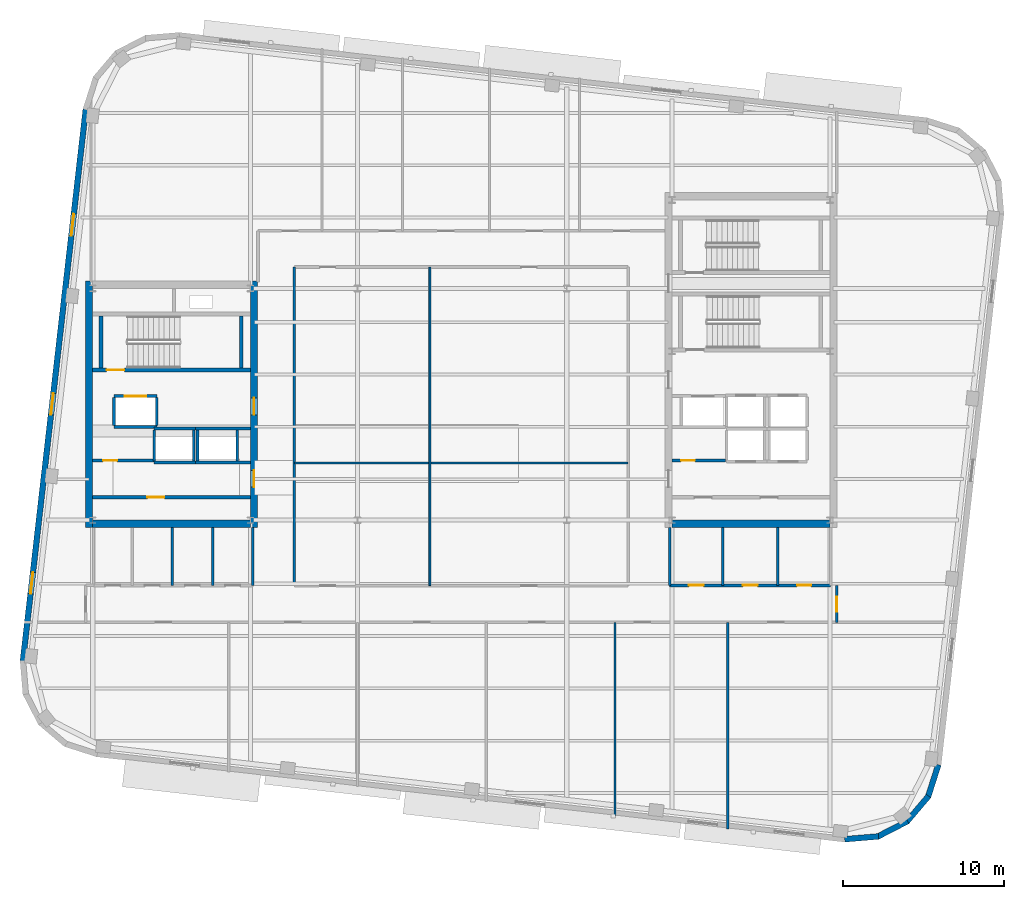
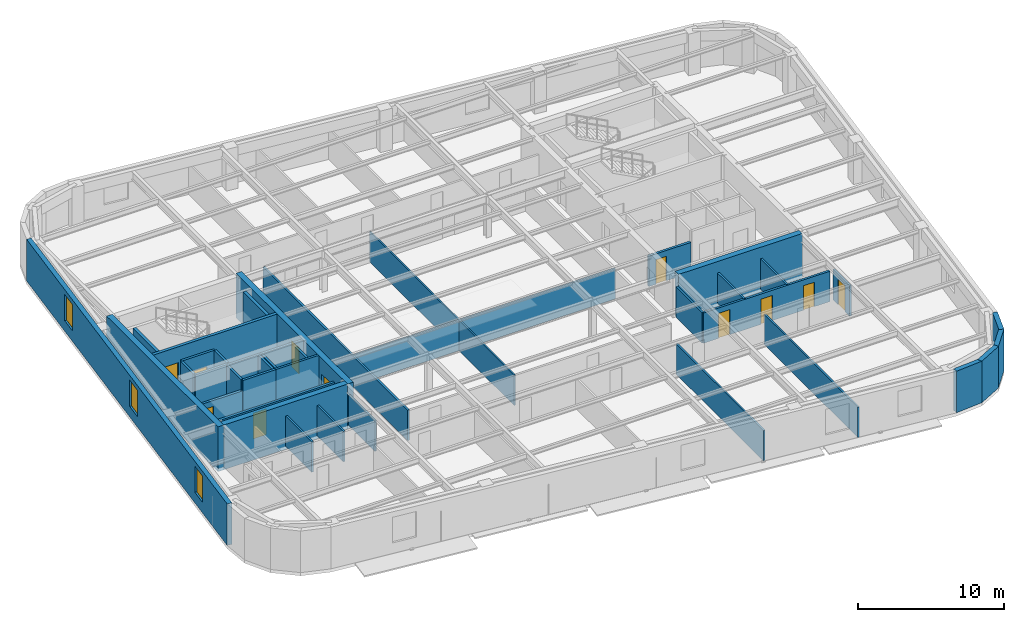
# One storey, part 6 of 13: 40 walls, 11 doors, 3 windows, 14 openings.
"""IFC4 building model written with IfcOpenShell, lengths in metres."""

import ifcopenshell
import ifcopenshell.guid

model = None  # the IFC model being written
_history = None  # IfcOwnerHistory: only IFC2X3 demands one
_inside = {}  # id of a spatial element -> (the spatial element, [elements in it])
_under = {}  # id of a project, library or spatial element -> (it, [spatial elements below it])
_declared = {}  # id of a project -> (the project, [libraries it declares])
_typed = {}  # id of a type object -> (the type object, [elements of that type])
_made_of = {}  # id of a material, layer set ... -> (it, [elements and type objects made of it])


def new_model(schema):
    """Start an empty IFC model of exactly this schema.

    Asked for "IFC4X3", IfcOpenShell would pick the latest addendum, in which some entities
    have other attributes; the version numbers below select the first issue.
    IFC2X3 requires an IfcOwnerHistory on every rooted entity: one is made here for all.
    """
    global model, _history
    if schema == "IFC4X3":
        model = ifcopenshell.file(schema_version=(4, 3, 0, 0))
    else:
        model = ifcopenshell.file(schema=schema)
    _inside.clear()
    _under.clear()
    _declared.clear()
    _typed.clear()
    _made_of.clear()
    _history = None
    if model.schema == "IFC2X3":
        org = make("IfcOrganization", Name="unknown")
        user = make(
            "IfcPersonAndOrganization",
            ThePerson=make("IfcPerson", FamilyName="unknown"),
            TheOrganization=org,
        )
        app = make(
            "IfcApplication",
            ApplicationDeveloper=org,
            Version="unknown",
            ApplicationFullName="unknown",
            ApplicationIdentifier="unknown",
        )
        _history = make(
            "IfcOwnerHistory",
            OwningUser=user,
            OwningApplication=app,
            ChangeAction="ADDED",
            CreationDate=0,
        )
    return model


def make(cls, **values):
    """One entity of the class cls with the attributes given. An attribute that is None is left unset."""
    return model.create_entity(
        cls, **{name: value for name, value in values.items() if value is not None}
    )


def rooted(cls, **values):
    """An entity with a GlobalId (a new one), such as an element, a storey or a relation."""
    return make(cls, GlobalId=ifcopenshell.guid.new(), OwnerHistory=_history, **values)


def si_unit(unit_type, name, prefix=None):
    """IfcSIUnit, for example si_unit("LENGTHUNIT", "METRE", prefix="MILLI")."""
    return make("IfcSIUnit", UnitType=unit_type, Prefix=prefix, Name=name)


def assignment(units):
    """IfcUnitAssignment: the units of a project."""
    return None if units is None else make("IfcUnitAssignment", Units=units)


def point(xyz):
    """IfcCartesianPoint."""
    return None if xyz is None else make("IfcCartesianPoint", Coordinates=xyz)


def direction(xyz):
    """IfcDirection."""
    return None if xyz is None else make("IfcDirection", DirectionRatios=xyz)


def frame(location, z_axis=None, x_axis=None):
    """IfcAxis2Placement3D, a coordinate frame: its origin and axes. An axis left out is left unset."""
    return make(
        "IfcAxis2Placement3D",
        Location=point(location),
        Axis=direction(z_axis),
        RefDirection=direction(x_axis),
    )


def frame_2d(location, x_axis=None):
    """IfcAxis2Placement2D, a coordinate frame in the plane: its origin and x axis."""
    return make(
        "IfcAxis2Placement2D", Location=point(location), RefDirection=direction(x_axis)
    )


def origin():
    """The frame at (0, 0, 0) with its axes left unset."""
    return frame((0.0, 0.0, 0.0))


def place(relative_to, where):
    """IfcLocalPlacement: puts the frame where relative to a parent placement (None: the world)."""
    return make(
        "IfcLocalPlacement", PlacementRelTo=relative_to, RelativePlacement=where
    )


def context(
    kind, dimensions, precision=None, world=None, true_north=None, identifier=None
):
    """IfcGeometricRepresentationContext, for example the 3D "Model" context."""
    return make(
        "IfcGeometricRepresentationContext",
        ContextIdentifier=identifier,
        ContextType=kind,
        CoordinateSpaceDimension=dimensions,
        Precision=precision,
        WorldCoordinateSystem=world,
        TrueNorth=true_north,
    )


def subcontext(parent, identifier, kind, view, scale=None):
    """IfcGeometricRepresentationSubContext, for example "Body" below "Model"."""
    return make(
        "IfcGeometricRepresentationSubContext",
        ContextIdentifier=identifier,
        ContextType=kind,
        ParentContext=parent,
        TargetScale=scale,
        TargetView=view,
    )


def project(units=None, contexts=None):
    """IfcProject with its units and contexts."""
    return rooted(
        "IfcProject",
        Name="project",
        RepresentationContexts=contexts,
        UnitsInContext=assignment(units),
    )


def spatial(cls, under=None, at=None, **own):
    """A site, building, storey or space (cls), placed at a placement, below another one or the project."""
    s = rooted(cls, ObjectPlacement=at, **own)
    if under is not None:
        _under.setdefault(under.id(), (under, []))[1].append(s)
    return s


def profile(cls, at=None, kind="AREA", **sizes):
    """A parametric profile (cls). Its sizes go by their IFC names, for example OverallWidth=200.0."""
    return make(cls, ProfileType=kind, Position=at, **sizes)


def rectangle(**sizes):
    """IfcRectangleProfileDef."""
    return profile("IfcRectangleProfileDef", **sizes)


def extrude(swept, where, along, depth):
    """IfcExtrudedAreaSolid: the profile swept, set in the frame where, extruded along a direction by depth."""
    return make(
        "IfcExtrudedAreaSolid",
        SweptArea=swept,
        Position=where,
        ExtrudedDirection=direction(along),
        Depth=depth,
    )


def shape(context_of_items, identifier, shape_type, items):
    """IfcShapeRepresentation: the items that make up one representation, for example the "Body"."""
    return make(
        "IfcShapeRepresentation",
        ContextOfItems=context_of_items,
        RepresentationIdentifier=identifier,
        RepresentationType=shape_type,
        Items=items,
    )


def material(Name=None, Category=None):
    """IfcMaterial."""
    return make("IfcMaterial", Name=Name, Category=Category)


def layer(
    of_material, thickness, ventilated=None, Name=None, Category=None, Priority=None
):
    """IfcMaterialLayer: one layer of a wall or slab, of a material (None: an air gap)."""
    return make(
        "IfcMaterialLayer",
        Material=of_material,
        LayerThickness=thickness,
        IsVentilated=ventilated,
        Name=Name,
        Category=Category,
        Priority=Priority,
    )


def layer_set(layers, Name=None):
    """IfcMaterialLayerSet."""
    return make("IfcMaterialLayerSet", MaterialLayers=layers, LayerSetName=Name)


def made_of(thing, what):
    """Note that an element or type object is made of a material, layer set ...; save() writes the relation."""
    if what is not None:
        _made_of.setdefault(what.id(), (what, []))[1].append(thing)
    return thing


def type_object(cls, material=None, **own):
    """A type object (cls), such as IfcWallType, which elements share."""
    return made_of(rooted(cls, **own), material)


def element(
    cls,
    number,
    at=None,
    inside=None,
    cuts=None,
    type_object=None,
    material=None,
    context=None,
    identifier="Body",
    shape_type=None,
    held_by="IfcProductDefinitionShape",
    body=None,
    shapes=None,
    **own,
):
    """One element of the class cls, such as IfcWall. Its Tag is "e" and its number.

    at: its placement. inside: the storey or other place that contains it. cuts: it is an
    opening in that element (IfcRelVoidsElement). A single representation is given by context,
    identifier, shape_type and body (its items); several are given by shapes. held_by: the class
    of the entity that holds the representations. save() writes the other relations.
    """
    e = rooted(cls, Tag="e%d" % number, ObjectPlacement=at, **own)
    if body is not None:
        shapes = [shape(context, identifier, shape_type, body)]
    if shapes is not None:
        e.Representation = make(held_by, Representations=shapes)
    if inside is not None:
        _inside.setdefault(inside.id(), (inside, []))[1].append(e)
    if cuts is not None:
        rooted(
            "IfcRelVoidsElement", RelatingBuildingElement=cuts, RelatedOpeningElement=e
        )
    if type_object is not None:
        _typed.setdefault(type_object.id(), (type_object, []))[1].append(e)
    return made_of(e, material)


def fill(opening, filler):
    """IfcRelFillsElement: the door or window that sits in an opening."""
    return rooted(
        "IfcRelFillsElement",
        RelatingOpeningElement=opening,
        RelatedBuildingElement=filler,
    )


def aggregate(whole, parts):
    """IfcRelAggregates: a whole, such as a stair, and the parts it consists of."""
    return rooted("IfcRelAggregates", RelatingObject=whole, RelatedObjects=parts)


def save(model, path):
    """Write the relations noted so far, then the file.

    IfcRelAggregates (storeys below a building ...), IfcRelContainedInSpatialStructure (elements
    in a storey), IfcRelDefinesByType, IfcRelAssociatesMaterial and IfcRelDeclares: one each for
    every whole, place, type object, material and project.
    """
    for whole, parts in _under.values():
        aggregate(whole, parts)
    for where, things in _inside.values():
        rooted(
            "IfcRelContainedInSpatialStructure",
            RelatedElements=things,
            RelatingStructure=where,
        )
    for kind, things in _typed.values():
        rooted("IfcRelDefinesByType", RelatedObjects=things, RelatingType=kind)
    for what, things in _made_of.values():
        rooted("IfcRelAssociatesMaterial", RelatedObjects=things, RelatingMaterial=what)
    for by, libraries in _declared.values():
        rooted("IfcRelDeclares", RelatingContext=by, RelatedDefinitions=libraries)
    model.write(path)


model = new_model("IFC4")

# Units and contexts
model_context = context("Model", 3, precision=1e-05, world=origin(), true_north=direction((0.0, 1.0)))
body_context = subcontext(model_context, "Body", "Model", "MODEL_VIEW")
ifc_project = project(units=[si_unit("LENGTHUNIT", "METRE"), si_unit("AREAUNIT", "SQUARE_METRE"), si_unit("VOLUMEUNIT", "CUBIC_METRE"), si_unit("PLANEANGLEUNIT", "RADIAN"), si_unit("MASSUNIT", "GRAM", prefix="KILO")], contexts=[model_context])

# Site, building, storey
site_placement = place(None, origin())
site = spatial("IfcSite", under=ifc_project, at=site_placement, CompositionType="ELEMENT")
building_placement = place(site_placement, origin())
building = spatial("IfcBuilding", under=site, at=building_placement, Name="Kolvaren Arena Tower", CompositionType="ELEMENT")
storey_placement = place(building_placement, frame((0.0, 0.0, 250.949951171875)))
storey = spatial("IfcBuildingStorey", under=building, at=storey_placement, Name="L61", CompositionType="ELEMENT", Elevation=250.949951171875)

# Wall
ifc_material_1 = material(Name="Gypsum board acoustic assembly", Category="gypsum")
ifc_layer_1 = layer(ifc_material_1, 0.159912109375)
ifc_layer_set_1 = layer_set([ifc_layer_1], Name="Gypsum board acoustic assembly")
wall_type_1 = type_object("IfcWallType", Name="CORR-160", PredefinedType="PARTITIONING", material=ifc_layer_set_1)
wall_1_placement = place(storey_placement, frame((27.080078125, 15.3798828125, 0.0), z_axis=(0.0, 0.0, 1.0), x_axis=(0.0, 1.0, 0.0)))
element("IfcWall", 1, at=wall_1_placement, inside=storey, type_object=wall_type_1, Name="Interior Partition Wall (L61)", PredefinedType="PARTITIONING", context=body_context, shape_type="SweptSolid", body=[
    extrude(rectangle(XDim=19.800048828125, YDim=0.159912109375, at=frame_2d((9.89990234375, 0.0))), origin(), (0.0, 0.0, 1.0), 2.5400390625),
])

# Wall, opening, door
wall_2_placement = place(storey_placement, frame((60.780029296875, 13.10009765625, 0.0), z_axis=(0.0, 0.0, 1.0), x_axis=(0.0, 1.0, 0.0)))
wall_2 = element("IfcWall", 2, at=wall_2_placement, inside=storey, type_object=wall_type_1, Name="Interior Partition Wall (L61)", PredefinedType="PARTITIONING", context=body_context, shape_type="SweptSolid", body=[
    extrude(rectangle(XDim=2.2998046875, YDim=0.159912109375, at=frame_2d((1.14990234375, 0.0))), origin(), (0.0, 0.0, 1.0), 2.5400390625),
])
opening_1_placement = place(wall_2_placement, frame((0.64990234375, 0.0, 0.0)))
opening_1 = element("IfcOpeningElement", 3, at=opening_1_placement, cuts=wall_2, Name="Opening D05", PredefinedType="OPENING", context=body_context, shape_type="SweptSolid", body=[
    extrude(rectangle(XDim=0.949951171875, YDim=2.14990234375, at=frame_2d((0.47509765625, 1.074951171875))), frame((0.0, 0.08984375, 0.0), z_axis=(0.0, -1.0, 0.0), x_axis=(1.0, 0.0, 0.0)), (0.0, 0.0, 1.0), 0.179931640625),
])
ifc_material_2 = material(Name="Solid-core oak acoustic office door", Category="wood")
door_type_1 = type_object("IfcDoorType", Name="DOOR-OF-095", OperationType="NOTDEFINED", PredefinedType="DOOR", material=ifc_material_2)
door_1_placement = place(opening_1_placement, origin())
door_1 = element("IfcDoor", 4, at=door_1_placement, inside=storey, type_object=door_type_1, Name="East Wing Studio Door (L61)", OperationType="SINGLE_SWING_RIGHT", OverallHeight=2.14990234375, OverallWidth=0.949951171875, PredefinedType="DOOR", context=body_context, shape_type="SweptSolid", body=[
    extrude(rectangle(XDim=0.949951171875, YDim=2.14990234375, at=frame_2d((0.47509765625, 1.074951171875))), frame((0.0, 0.02490234375, 0.0), z_axis=(0.0, -1.0, 0.0), x_axis=(1.0, 0.0, 0.0)), (0.0, 0.0, 1.0), 0.050048828125),
])
fill(opening_1, door_1)

# Wall
ifc_material_3 = material(Name="Concrete 55 MPa", Category="concrete")
ifc_layer_2 = layer(ifc_material_3, 0.449951171875)
ifc_layer_set_2 = layer_set([ifc_layer_2], Name="Concrete 55 MPa")
wall_type_2 = type_object("IfcWallType", Name="CWALL-450", PredefinedType="SHEAR", material=ifc_layer_set_2)
wall_3_placement = place(storey_placement, frame((14.324951171875, 19.0, -0.27001953125), z_axis=(0.0, 0.0, 1.0), x_axis=(0.0, 1.0, 0.0)))
element("IfcWall", 5, at=wall_3_placement, inside=storey, type_object=wall_type_2, Name="Core Shear Wall WC-WEST (L61)", PredefinedType="SHEAR", context=body_context, shape_type="SweptSolid", body=[
    extrude(rectangle(XDim=15.300048828125, YDim=0.449951171875, at=frame_2d((7.64990234375, 0.0))), origin(), (0.0, 0.0, 1.0), 3.75),
])

# Wall, openings, doors
wall_4_placement = place(storey_placement, frame((24.574951171875, 19.0, -0.27001953125), z_axis=(0.0, 0.0, 1.0), x_axis=(0.0, 1.0, 0.0)))
wall_4 = element("IfcWall", 6, at=wall_4_placement, inside=storey, type_object=wall_type_2, Name="Core Shear Wall WC-EAST (L61)", PredefinedType="SHEAR", context=body_context, shape_type="SweptSolid", body=[
    extrude(rectangle(XDim=15.300048828125, YDim=0.449951171875, at=frame_2d((7.64990234375, 0.0))), origin(), (0.0, 0.0, 1.0), 3.75),
])
opening_2_placement = place(wall_4_placement, frame((2.5, 0.0, 0.27001953125)))
opening_2 = element("IfcOpeningElement", 7, at=opening_2_placement, cuts=wall_4, Name="Opening D04", PredefinedType="OPENING", context=body_context, shape_type="SweptSolid", body=[
    extrude(rectangle(XDim=1.050048828125, YDim=2.14990234375, at=frame_2d((0.52490234375, 1.074951171875))), frame((0.0, 0.23486328125, 0.0), z_axis=(0.0, -1.0, 0.0), x_axis=(1.0, 0.0, 0.0)), (0.0, 0.0, 1.0), 0.469970703125),
])
opening_3_placement = place(wall_4_placement, frame((7.0, 0.0, 0.27001953125)))
opening_3 = element("IfcOpeningElement", 8, at=opening_3_placement, cuts=wall_4, Name="Opening D04", PredefinedType="OPENING", context=body_context, shape_type="SweptSolid", body=[
    extrude(rectangle(XDim=1.050048828125, YDim=2.14990234375, at=frame_2d((0.52490234375, 1.074951171875))), frame((0.0, 0.23486328125, 0.0), z_axis=(0.0, -1.0, 0.0), x_axis=(1.0, 0.0, 0.0)), (0.0, 0.0, 1.0), 0.469970703125),
])
ifc_material_4 = material(Name="Fire-rated steel lobby door", Category="steel")
door_type_2 = type_object("IfcDoorType", Name="DOOR-FF-105", OperationType="NOTDEFINED", PredefinedType="DOOR", material=ifc_material_4)
door_2_placement = place(opening_2_placement, origin())
door_2 = element("IfcDoor", 9, at=door_2_placement, inside=storey, type_object=door_type_2, Name="West Lift Lobby Fire Door (L61)", OperationType="SINGLE_SWING_LEFT", OverallHeight=2.14990234375, OverallWidth=1.050048828125, PredefinedType="DOOR", context=body_context, shape_type="SweptSolid", body=[
    extrude(rectangle(XDim=1.050048828125, YDim=2.14990234375, at=frame_2d((0.52490234375, 1.074951171875))), frame((0.0, 0.02490234375, 0.0), z_axis=(0.0, -1.0, 0.0), x_axis=(1.0, 0.0, 0.0)), (0.0, 0.0, 1.0), 0.050048828125),
])
fill(opening_2, door_2)
door_3_placement = place(opening_3_placement, origin())
door_3 = element("IfcDoor", 10, at=door_3_placement, inside=storey, type_object=door_type_2, Name="West Firefighter Vestibule Door (L61)", OperationType="SINGLE_SWING_RIGHT", OverallHeight=2.14990234375, OverallWidth=1.050048828125, PredefinedType="DOOR", context=body_context, shape_type="SweptSolid", body=[
    extrude(rectangle(XDim=1.050048828125, YDim=2.14990234375, at=frame_2d((0.52490234375, 1.074951171875))), frame((0.0, 0.02490234375, 0.0), z_axis=(0.0, -1.0, 0.0), x_axis=(1.0, 0.0, 0.0)), (0.0, 0.0, 1.0), 0.050048828125),
])
fill(opening_3, door_3)

# Walls
for number, where, z_axis, x_axis, name in (
    (11, (14.550048828125, 19.22509765625, -0.27001953125), (0.0, 0.0, 1.0), (1.0, 0.0, 0.0), "Core Shear Wall WC-SOUTH (L61)"),
    (12, (50.550048828125, 19.22509765625, -0.27001953125), (0.0, 0.0, 1.0), (1.0, 0.0, 0.0), "Core Shear Wall EC-SOUTH (L61)"),
):
    element("IfcWall", number, at=place(storey_placement, frame(where, z_axis=z_axis, x_axis=x_axis)), inside=storey, type_object=wall_type_2, Name=name, PredefinedType="SHEAR", context=body_context, shape_type="SweptSolid", body=[
        extrude(rectangle(XDim=9.800048828125, YDim=0.449951171875, at=frame_2d((4.89990234375, 0.0))), origin(), (0.0, 0.0, 1.0), 3.75),
    ])
ifc_material_5 = material(Name="Precast concrete C50/60", Category="concrete")
ifc_layer_3 = layer(ifc_material_5, 0.360107421875)
ifc_layer_set_3 = layer_set([ifc_layer_3], Name="Precast concrete C50/60")
wall_type_3 = type_object("IfcWallType", Name="EXT-PIER2", PredefinedType="SOLIDWALL", material=ifc_layer_set_3)
wall_5_placement = place(storey_placement, frame((63.370361328125, -0.199462890625, 0.0), z_axis=(0.0, 0.0, 1.0), x_axis=(-0.996562518477, -0.082844111233, 0.0)))
element("IfcWall", 13, at=wall_5_placement, inside=storey, type_object=wall_type_3, Name="Exterior Precast Masonry-Frame Wall (L61)", PredefinedType="SOLIDWALL", context=body_context, shape_type="SweptSolid", body=[
    extrude(rectangle(XDim=2.107177734375, YDim=0.360107421875, at=frame_2d((1.0537109375, 0.0))), origin(), (0.0, 0.0, 1.0), 3.47998046875),
])
for number, where, z_axis, x_axis, name in (
    (14, (65.176025390625, 0.745849609375, 0.0), (0.0, 0.0, 1.0), (-0.888985992199, -0.457934390142, 0.0), "Exterior Precast Masonry-Frame Wall (L61)"),
    (15, (66.482421875, 2.310302734375, 0.0), (0.0, 0.0, 1.0), (-0.646103249464, -0.763250018691, 0.0), "Exterior Precast Masonry-Frame Wall (L61)"),
):
    element("IfcWall", number, at=place(storey_placement, frame(where, z_axis=z_axis, x_axis=x_axis)), inside=storey, type_object=wall_type_3, Name=name, PredefinedType="SOLIDWALL", context=body_context, shape_type="SweptSolid", body=[
        extrude(rectangle(XDim=2.10693359375, YDim=0.360107421875, at=frame_2d((1.053466796875, 0.0))), origin(), (0.0, 0.0, 1.0), 3.47998046875),
    ])
wall_6_placement = place(storey_placement, frame((67.0908203125, 4.255615234375, 0.0), z_axis=(0.0, 0.0, 1.0), x_axis=(-0.304838787518, -0.952403965565, 0.0)))
element("IfcWall", 16, at=wall_6_placement, inside=storey, type_object=wall_type_3, Name="Exterior Precast Masonry-Frame Wall (L61)", PredefinedType="SOLIDWALL", context=body_context, shape_type="SweptSolid", body=[
    extrude(rectangle(XDim=2.107177734375, YDim=0.360107421875, at=frame_2d((1.0537109375, 0.0))), origin(), (0.0, 0.0, 1.0), 3.47998046875),
])

# Wall, openings, windows
wall_7_placement = place(storey_placement, frame((10.211181640625, 10.70068359375, 0.0), z_axis=(0.0, 0.0, 1.0), x_axis=(0.113203107947, 0.993571867733, 0.0)))
wall_7 = element("IfcWall", 17, at=wall_7_placement, inside=storey, type_object=wall_type_3, Name="Exterior Precast Masonry-Frame Wall (L61)", PredefinedType="SOLIDWALL", context=body_context, shape_type="SweptSolid", body=[
    extrude(rectangle(XDim=34.5, YDim=0.360107421875, at=frame_2d((17.25, 0.0))), origin(), (0.0, 0.0, 1.0), 3.47998046875),
])
opening_4_placement = place(wall_7_placement, frame((4.199951171875, 0.0, 0.8798828125)))
opening_4 = element("IfcOpeningElement", 18, at=opening_4_placement, cuts=wall_7, Name="Opening W04", PredefinedType="OPENING", context=body_context, shape_type="SweptSolid", body=[
    extrude(rectangle(XDim=1.35009765625, YDim=2.199951171875, at=frame_2d((0.675048828125, 1.10009765625))), frame((0.0, 0.18994140625, 0.0), z_axis=(0.0, -1.0, 0.0), x_axis=(1.0, 0.0, 0.0)), (0.0, 0.0, 1.0), 0.380126953125),
])
opening_5_placement = place(wall_7_placement, frame((15.39990234375, 0.0, 0.8798828125)))
opening_5 = element("IfcOpeningElement", 19, at=opening_5_placement, cuts=wall_7, Name="Opening W04", PredefinedType="OPENING", context=body_context, shape_type="SweptSolid", body=[
    extrude(rectangle(XDim=1.35009765625, YDim=2.199951171875, at=frame_2d((0.675048828125, 1.10009765625))), frame((0.0, 0.18994140625, 0.0), z_axis=(0.0, -1.0, 0.0), x_axis=(1.0, 0.0, 0.0)), (0.0, 0.0, 1.0), 0.380126953125),
])
opening_6_placement = place(wall_7_placement, frame((26.60009765625, 0.0, 0.8798828125)))
opening_6 = element("IfcOpeningElement", 20, at=opening_6_placement, cuts=wall_7, Name="Opening W04", PredefinedType="OPENING", context=body_context, shape_type="SweptSolid", body=[
    extrude(rectangle(XDim=1.35009765625, YDim=2.199951171875, at=frame_2d((0.675048828125, 1.10009765625))), frame((0.0, 0.18994140625, 0.0), z_axis=(0.0, -1.0, 0.0), x_axis=(1.0, 0.0, 0.0)), (0.0, 0.0, 1.0), 0.380126953125),
])
ifc_material_6 = material(Name="Triple-glazed curved-facet corner window", Category="glass")
window_type = type_object("IfcWindowType", Name="WIN-CRN-A", PartitioningType="SINGLE_PANEL", PredefinedType="WINDOW", material=ifc_material_6)
window_1_placement = place(opening_4_placement, origin())
window_1 = element("IfcWindow", 21, at=window_1_placement, inside=storey, type_object=window_type, Name="End-Wall Punched Window (L61)", OverallHeight=2.199951171875, OverallWidth=1.35009765625, PartitioningType="SINGLE_PANEL", PredefinedType="WINDOW", context=body_context, shape_type="SweptSolid", body=[
    extrude(rectangle(XDim=1.35009765625, YDim=2.199951171875, at=frame_2d((0.675048828125, 1.10009765625))), frame((0.0, 0.030029296875, 0.0), z_axis=(0.0, -1.0, 0.0), x_axis=(1.0, 0.0, 0.0)), (0.0, 0.0, 1.0), 0.06005859375),
])
fill(opening_4, window_1)
window_2_placement = place(opening_5_placement, origin())
window_2 = element("IfcWindow", 22, at=window_2_placement, inside=storey, type_object=window_type, Name="End-Wall Punched Window (L61)", OverallHeight=2.199951171875, OverallWidth=1.35009765625, PartitioningType="SINGLE_PANEL", PredefinedType="WINDOW", context=body_context, shape_type="SweptSolid", body=[
    extrude(rectangle(XDim=1.35009765625, YDim=2.199951171875, at=frame_2d((0.675048828125, 1.10009765625))), frame((0.0, 0.030029296875, 0.0), z_axis=(0.0, -1.0, 0.0), x_axis=(1.0, 0.0, 0.0)), (0.0, 0.0, 1.0), 0.06005859375),
])
fill(opening_5, window_2)
window_3_placement = place(opening_6_placement, origin())
window_3 = element("IfcWindow", 23, at=window_3_placement, inside=storey, type_object=window_type, Name="End-Wall Punched Window (L61)", OverallHeight=2.199951171875, OverallWidth=1.35009765625, PartitioningType="SINGLE_PANEL", PredefinedType="WINDOW", context=body_context, shape_type="SweptSolid", body=[
    extrude(rectangle(XDim=1.35009765625, YDim=2.199951171875, at=frame_2d((0.675048828125, 1.10009765625))), frame((0.0, 0.030029296875, 0.0), z_axis=(0.0, -1.0, 0.0), x_axis=(1.0, 0.0, 0.0)), (0.0, 0.0, 1.0), 0.06005859375),
])
fill(opening_6, window_3)

# Wall, opening, door
ifc_material_7 = material(Name="Concrete 40 MPa", Category="concrete")
ifc_layer_4 = layer(ifc_material_7, 0.199951171875)
ifc_layer_set_4 = layer_set([ifc_layer_4], Name="Concrete 40 MPa")
wall_type_4 = type_object("IfcWallType", Name="LOBBY-200", PredefinedType="SOLIDWALL", material=ifc_layer_set_4)
wall_8_placement = place(storey_placement, frame((50.550048828125, 23.159912109375, 0.0), z_axis=(0.0, 0.0, 1.0), x_axis=(1.0, 0.0, 0.0)))
wall_8 = element("IfcWall", 24, at=wall_8_placement, inside=storey, type_object=wall_type_4, Name="Core Shaft Wall (L61)", PredefinedType="SOLIDWALL", context=body_context, shape_type="SweptSolid", body=[
    extrude(rectangle(XDim=3.329833984375, YDim=0.199951171875, at=frame_2d((1.6650390625, 0.0))), origin(), (0.0, 0.0, 1.0), 2.5400390625),
])
opening_7_placement = place(wall_8_placement, frame((0.550048828125, 0.0, 0.0)))
opening_7 = element("IfcOpeningElement", 25, at=opening_7_placement, cuts=wall_8, Name="Opening D09", PredefinedType="OPENING", context=body_context, shape_type="SweptSolid", body=[
    extrude(rectangle(XDim=0.860107421875, YDim=2.050048828125, at=frame_2d((0.43017578125, 1.02490234375))), frame((0.0, 0.10986328125, 0.0), z_axis=(0.0, -1.0, 0.0), x_axis=(1.0, 0.0, 0.0)), (0.0, 0.0, 1.0), 0.219970703125),
])
ifc_material_8 = material(Name="Fire-rated steel riser access door", Category="steel")
door_type_3 = type_object("IfcDoorType", Name="DOOR-RS-086", OperationType="NOTDEFINED", PredefinedType="DOOR", material=ifc_material_8)
door_4_placement = place(opening_7_placement, origin())
door_4 = element("IfcDoor", 26, at=door_4_placement, inside=storey, type_object=door_type_3, Name="East AV Riser Closet Door (L61)", OperationType="SINGLE_SWING_LEFT", OverallHeight=2.050048828125, OverallWidth=0.860107421875, PredefinedType="DOOR", context=body_context, shape_type="SweptSolid", body=[
    extrude(rectangle(XDim=0.860107421875, YDim=2.050048828125, at=frame_2d((0.43017578125, 1.02490234375))), frame((0.0, 0.02490234375, 0.0), z_axis=(0.0, -1.0, 0.0), x_axis=(1.0, 0.0, 0.0)), (0.0, 0.0, 1.0), 0.050048828125),
])
fill(opening_7, door_4)

wall_9_placement = place(storey_placement, frame((14.550048828125, 20.8798828125, 0.0), z_axis=(0.0, 0.0, 1.0), x_axis=(1.0, 0.0, 0.0)))
wall_9 = element("IfcWall", 27, at=wall_9_placement, inside=storey, type_object=wall_type_4, Name="Core Shaft Wall (L61)", PredefinedType="SOLIDWALL", context=body_context, shape_type="SweptSolid", body=[
    extrude(rectangle(XDim=9.800048828125, YDim=0.199951171875, at=frame_2d((4.89990234375, 0.0))), origin(), (0.0, 0.0, 1.0), 2.5400390625),
])
opening_8_placement = place(wall_9_placement, frame((3.39990234375, 0.0, 0.0)))
opening_8 = element("IfcOpeningElement", 28, at=opening_8_placement, cuts=wall_9, Name="Opening D04", PredefinedType="OPENING", context=body_context, shape_type="SweptSolid", body=[
    extrude(rectangle(XDim=1.050048828125, YDim=2.14990234375, at=frame_2d((0.52490234375, 1.074951171875))), frame((0.0, 0.10986328125, 0.0), z_axis=(0.0, -1.0, 0.0), x_axis=(1.0, 0.0, 0.0)), (0.0, 0.0, 1.0), 0.219970703125),
])
door_5_placement = place(opening_8_placement, origin())
door_5 = element("IfcDoor", 29, at=door_5_placement, inside=storey, type_object=door_type_2, Name="West IT Room Fire Door (L61)", OperationType="SINGLE_SWING_LEFT", OverallHeight=2.14990234375, OverallWidth=1.050048828125, PredefinedType="DOOR", context=body_context, shape_type="SweptSolid", body=[
    extrude(rectangle(XDim=1.050048828125, YDim=2.14990234375, at=frame_2d((0.52490234375, 1.074951171875))), frame((0.0, 0.02490234375, 0.0), z_axis=(0.0, -1.0, 0.0), x_axis=(1.0, 0.0, 0.0)), (0.0, 0.0, 1.0), 0.050048828125),
])
fill(opening_8, door_5)

wall_10_placement = place(storey_placement, frame((14.550048828125, 23.159912109375, 0.0), z_axis=(0.0, 0.0, 1.0), x_axis=(1.0, 0.0, 0.0)))
wall_10 = element("IfcWall", 30, at=wall_10_placement, inside=storey, type_object=wall_type_4, Name="Core Shaft Wall (L61)", PredefinedType="SOLIDWALL", context=body_context, shape_type="SweptSolid", body=[
    extrude(rectangle(XDim=3.820068359375, YDim=0.199951171875, at=frame_2d((1.91015625, 0.0))), origin(), (0.0, 0.0, 1.0), 2.5400390625),
])
opening_9_placement = place(wall_10_placement, frame((0.64990234375, 0.0, 0.0)))
opening_9 = element("IfcOpeningElement", 31, at=opening_9_placement, cuts=wall_10, Name="Opening D09", PredefinedType="OPENING", context=body_context, shape_type="SweptSolid", body=[
    extrude(rectangle(XDim=0.860107421875, YDim=2.050048828125, at=frame_2d((0.43017578125, 1.02490234375))), frame((0.0, 0.10986328125, 0.0), z_axis=(0.0, -1.0, 0.0), x_axis=(1.0, 0.0, 0.0)), (0.0, 0.0, 1.0), 0.219970703125),
])
door_6_placement = place(opening_9_placement, origin())
door_6 = element("IfcDoor", 32, at=door_6_placement, inside=storey, type_object=door_type_3, Name="West Document Archive Riser Door (L61)", OperationType="SINGLE_SWING_RIGHT", OverallHeight=2.050048828125, OverallWidth=0.860107421875, PredefinedType="DOOR", context=body_context, shape_type="SweptSolid", body=[
    extrude(rectangle(XDim=0.860107421875, YDim=2.050048828125, at=frame_2d((0.43017578125, 1.02490234375))), frame((0.0, 0.02490234375, 0.0), z_axis=(0.0, -1.0, 0.0), x_axis=(1.0, 0.0, 0.0)), (0.0, 0.0, 1.0), 0.050048828125),
])
fill(opening_9, door_6)

# Walls
ifc_material_9 = material(Name="Gypsum board partition assembly", Category="gypsum")
ifc_layer_5 = layer(ifc_material_9, 0.114990234375)
ifc_layer_set_5 = layer_set([ifc_layer_5], Name="Gypsum board partition assembly")
wall_type_5 = type_object("IfcWallType", Name="PART-115", PredefinedType="PARTITIONING", material=ifc_layer_set_5)
wall_11_placement = place(storey_placement, frame((35.5, 15.3798828125, 0.0), z_axis=(0.0, 0.0, 1.0), x_axis=(0.0, 1.0, 0.0)))
element("IfcWall", 33, at=wall_11_placement, inside=storey, type_object=wall_type_5, Name="Interior Partition Wall (L61)", PredefinedType="PARTITIONING", context=body_context, shape_type="SweptSolid", body=[
    extrude(rectangle(XDim=19.800048828125, YDim=0.114990234375, at=frame_2d((9.89990234375, 0.0))), origin(), (0.0, 0.0, 1.0), 2.5400390625),
])
ifc_layer_6 = layer(ifc_material_9, 0.135009765625)
ifc_layer_set_6 = layer_set([ifc_layer_6], Name="Gypsum board partition assembly")
wall_type_6 = type_object("IfcWallType", Name="PART-135", PredefinedType="PARTITIONING", material=ifc_layer_set_6)
wall_12_placement = place(storey_placement, frame((47.0, 1.07421875, 0.0), z_axis=(0.0, 0.0, 1.0), x_axis=(0.0, 1.0, 0.0)))
element("IfcWall", 34, at=wall_12_placement, inside=storey, type_object=wall_type_6, Name="Interior Partition Wall (L61)", PredefinedType="PARTITIONING", context=body_context, shape_type="SweptSolid", body=[
    extrude(rectangle(XDim=12.02587890625, YDim=0.135009765625, at=frame_2d((6.012939453125, 0.0))), origin(), (0.0, 0.0, 1.0), 2.5400390625),
])
wall_13_placement = place(storey_placement, frame((54.0, 0.276611328125, 0.0), z_axis=(0.0, 0.0, 1.0), x_axis=(0.0, 1.0, 0.0)))
element("IfcWall", 35, at=wall_13_placement, inside=storey, type_object=wall_type_6, Name="Interior Partition Wall (L61)", PredefinedType="PARTITIONING", context=body_context, shape_type="SweptSolid", body=[
    extrude(rectangle(XDim=12.823486328125, YDim=0.135009765625, at=frame_2d((6.41162109375, 0.0))), origin(), (0.0, 0.0, 1.0), 2.5400390625),
])
wall_14_placement = place(storey_placement, frame((27.080078125, 23.0, 0.0), z_axis=(0.0, 0.0, 1.0), x_axis=(1.0, 0.0, 0.0)))
element("IfcWall", 36, at=wall_14_placement, inside=storey, type_object=wall_type_6, Name="Interior Partition Wall (L61)", PredefinedType="PARTITIONING", context=body_context, shape_type="SweptSolid", body=[
    extrude(rectangle(XDim=20.739990234375, YDim=0.135009765625, at=frame_2d((10.3701171875, 0.0))), origin(), (0.0, 0.0, 1.0), 2.5400390625),
])

# Wall, opening, door
ifc_material_10 = material(Name="Concrete 45 MPa", Category="concrete")
ifc_layer_7 = layer(ifc_material_10, 0.25)
ifc_layer_set_7 = layer_set([ifc_layer_7], Name="Concrete 45 MPa")
wall_type_7 = type_object("IfcWallType", Name="SHAFT-250", PredefinedType="SOLIDWALL", material=ifc_layer_set_7)
wall_15_placement = place(storey_placement, frame((24.35009765625, 28.780029296875, 0.0), z_axis=(0.0, 0.0, 1.0), x_axis=(-1.0, 0.0, 0.0)))
wall_15 = element("IfcWall", 37, at=wall_15_placement, inside=storey, type_object=wall_type_7, Name="Core Shaft Wall (L61)", PredefinedType="SOLIDWALL", context=body_context, shape_type="SweptSolid", body=[
    extrude(rectangle(XDim=9.800048828125, YDim=0.239990234375, at=frame_2d((4.89990234375, 0.0))), origin(), (0.0, 0.0, 1.0), 3.47998046875),
])
opening_10_placement = place(wall_15_placement, frame((7.830078125, 0.0, 0.0)))
opening_10 = element("IfcOpeningElement", 38, at=opening_10_placement, cuts=wall_15, Name="Opening D03", PredefinedType="OPENING", context=body_context, shape_type="SweptSolid", body=[
    extrude(rectangle(XDim=1.10009765625, YDim=2.14990234375, at=frame_2d((0.550048828125, 1.074951171875))), frame((0.0, 0.1298828125, 0.0), z_axis=(0.0, -1.0, 0.0), x_axis=(1.0, 0.0, 0.0)), (0.0, 0.0, 1.0), 0.260009765625),
])
ifc_material_11 = material(Name="Fire-rated steel exit stair door", Category="steel")
door_type_4 = type_object("IfcDoorType", Name="DOOR-ST-110", OperationType="NOTDEFINED", PredefinedType="DOOR", material=ifc_material_11)
door_7_placement = place(opening_10_placement, origin())
door_7 = element("IfcDoor", 39, at=door_7_placement, inside=storey, type_object=door_type_4, Name="Stair ST-W1 Fire Door (L61)", OperationType="SINGLE_SWING_RIGHT", OverallHeight=2.14990234375, OverallWidth=1.10009765625, PredefinedType="DOOR", context=body_context, shape_type="SweptSolid", body=[
    extrude(rectangle(XDim=1.10009765625, YDim=2.14990234375, at=frame_2d((0.550048828125, 1.074951171875))), frame((0.0, 0.02490234375, 0.0), z_axis=(0.0, -1.0, 0.0), x_axis=(1.0, 0.0, 0.0)), (0.0, 0.0, 1.0), 0.050048828125),
])
fill(opening_10, door_7)

# Walls
for number, where, z_axis, x_axis, name in (
    (40, (15.06005859375, 28.89990234375, 0.0), (0.0, 0.0, 1.0), (0.0, 1.0, 0.0), "Core Shaft Wall (L61)"),
    (41, (23.780029296875, 28.89990234375, 0.0), (0.0, 0.0, 1.0), (0.0, 1.0, 0.0), "Core Shaft Wall (L61)"),
):
    element("IfcWall", number, at=place(storey_placement, frame(where, z_axis=z_axis, x_axis=x_axis)), inside=storey, type_object=wall_type_7, Name=name, PredefinedType="SOLIDWALL", context=body_context, shape_type="SweptSolid", body=[
        extrude(rectangle(XDim=3.22998046875, YDim=0.239990234375, at=frame_2d((1.614990234375, 0.0))), origin(), (0.0, 0.0, 1.0), 3.47998046875),
    ])
for number, where, z_axis, x_axis, name in (
    (42, (18.3701171875, 25.155029296875, 0.0), (0.0, 0.0, 1.0), (1.0, 0.0, 0.0), "Core Shaft Wall (L61)"),
    (43, (18.3701171875, 23.044921875, 0.0), (0.0, 0.0, 1.0), (1.0, 0.0, 0.0), "Core Shaft Wall (L61)"),
):
    element("IfcWall", number, at=place(storey_placement, frame(where, z_axis=z_axis, x_axis=x_axis)), inside=storey, type_object=wall_type_7, Name=name, PredefinedType="SOLIDWALL", context=body_context, shape_type="SweptSolid", body=[
        extrude(rectangle(XDim=2.579833984375, YDim=0.179931640625, at=frame_2d((1.2900390625, 0.0))), origin(), (0.0, 0.0, 1.0), 3.47998046875),
    ])
for number, where, z_axis, x_axis, name in (
    (44, (18.3701171875, 23.135009765625, 0.0), (0.0, 0.0, 1.0), (0.0, 1.0, 0.0), "Core Shaft Wall (L61)"),
    (45, (20.830078125, 23.135009765625, 0.0), (0.0, 0.0, 1.0), (0.0, 1.0, 0.0), "Core Shaft Wall (L61)"),
):
    element("IfcWall", number, at=place(storey_placement, frame(where, z_axis=z_axis, x_axis=x_axis)), inside=storey, type_object=wall_type_7, Name=name, PredefinedType="SOLIDWALL", context=body_context, shape_type="SweptSolid", body=[
        extrude(rectangle(XDim=1.929931640625, YDim=0.179931640625, at=frame_2d((0.96484375, 0.0))), origin(), (0.0, 0.0, 1.0), 3.47998046875),
    ])
for number, where, z_axis, x_axis, name in (
    (46, (20.949951171875, 25.155029296875, 0.0), (0.0, 0.0, 1.0), (1.0, 0.0, 0.0), "Core Shaft Wall (L61)"),
    (47, (20.949951171875, 23.044921875, 0.0), (0.0, 0.0, 1.0), (1.0, 0.0, 0.0), "Core Shaft Wall (L61)"),
):
    element("IfcWall", number, at=place(storey_placement, frame(where, z_axis=z_axis, x_axis=x_axis)), inside=storey, type_object=wall_type_7, Name=name, PredefinedType="SOLIDWALL", context=body_context, shape_type="SweptSolid", body=[
        extrude(rectangle(XDim=3.400146484375, YDim=0.179931640625, at=frame_2d((1.7001953125, 0.0))), origin(), (0.0, 0.0, 1.0), 3.47998046875),
    ])
for number, where, z_axis, x_axis, name in (
    (48, (21.070068359375, 23.135009765625, 0.0), (0.0, 0.0, 1.0), (0.0, 1.0, 0.0), "Core Shaft Wall (L61)"),
    (49, (23.530029296875, 23.135009765625, 0.0), (0.0, 0.0, 1.0), (0.0, 1.0, 0.0), "Core Shaft Wall (L61)"),
):
    element("IfcWall", number, at=place(storey_placement, frame(where, z_axis=z_axis, x_axis=x_axis)), inside=storey, type_object=wall_type_7, Name=name, PredefinedType="SOLIDWALL", context=body_context, shape_type="SweptSolid", body=[
        extrude(rectangle(XDim=1.929931640625, YDim=0.179931640625, at=frame_2d((0.96484375, 0.0))), origin(), (0.0, 0.0, 1.0), 3.47998046875),
    ])

# Wall, opening, door
wall_16_placement = place(storey_placement, frame((15.8701171875, 27.155029296875, 0.0), z_axis=(0.0, 0.0, 1.0), x_axis=(1.0, 0.0, 0.0)))
wall_16 = element("IfcWall", 50, at=wall_16_placement, inside=storey, type_object=wall_type_7, Name="Core Shaft Wall (L61)", PredefinedType="SOLIDWALL", context=body_context, shape_type="SweptSolid", body=[
    extrude(rectangle(XDim=2.659912109375, YDim=0.179931640625, at=frame_2d((1.330078125, 0.0))), origin(), (0.0, 0.0, 1.0), 3.47998046875),
])
opening_11_placement = place(wall_16_placement, frame((0.655029296875, 0.0, 0.0)))
opening_11 = element("IfcOpeningElement", 51, at=opening_11_placement, cuts=wall_16, Name="Opening LD2", PredefinedType="OPENING", context=body_context, shape_type="SweptSolid", body=[
    extrude(rectangle(XDim=1.35009765625, YDim=2.300048828125, at=frame_2d((0.675048828125, 1.14990234375))), frame((0.0, 0.099853515625, 0.0), z_axis=(0.0, -1.0, 0.0), x_axis=(1.0, 0.0, 0.0)), (0.0, 0.0, 1.0), 0.199951171875),
])
ifc_material_12 = material(Name="Stainless steel firefighter lift landing door", Category="steel")
door_type_5 = type_object("IfcDoorType", Name="DOOR-LD-135", OperationType="DOUBLE_DOOR_SLIDING", PredefinedType="DOOR", material=ifc_material_12)
door_8_placement = place(opening_11_placement, origin())
door_8 = element("IfcDoor", 52, at=door_8_placement, inside=storey, type_object=door_type_5, Name="Firefighter Lift FF-W1 Landing Door (L61)", OperationType="DOUBLE_DOOR_SLIDING", OverallHeight=2.300048828125, OverallWidth=1.35009765625, PredefinedType="DOOR", context=body_context, shape_type="SweptSolid", body=[
    extrude(rectangle(XDim=1.35009765625, YDim=2.300048828125, at=frame_2d((0.675048828125, 1.14990234375))), frame((0.0, 0.02490234375, 0.0), z_axis=(0.0, -1.0, 0.0), x_axis=(1.0, 0.0, 0.0)), (0.0, 0.0, 1.0), 0.050048828125),
])
fill(opening_11, door_8)

# Walls
wall_17_placement = place(storey_placement, frame((15.8701171875, 25.2451171875, 0.0), z_axis=(0.0, 0.0, 1.0), x_axis=(1.0, 0.0, 0.0)))
element("IfcWall", 53, at=wall_17_placement, inside=storey, type_object=wall_type_7, Name="Core Shaft Wall (L61)", PredefinedType="SOLIDWALL", context=body_context, shape_type="SweptSolid", body=[
    extrude(rectangle(XDim=2.659912109375, YDim=0.179931640625, at=frame_2d((1.330078125, 0.0))), origin(), (0.0, 0.0, 1.0), 3.47998046875),
])
for number, where, z_axis, x_axis, name in (
    (54, (15.8701171875, 25.3349609375, 0.0), (0.0, 0.0, 1.0), (0.0, 1.0, 0.0), "Core Shaft Wall (L61)"),
    (55, (18.530029296875, 25.3349609375, 0.0), (0.0, 0.0, 1.0), (0.0, 1.0, 0.0), "Core Shaft Wall (L61)"),
):
    element("IfcWall", number, at=place(storey_placement, frame(where, z_axis=z_axis, x_axis=x_axis)), inside=storey, type_object=wall_type_7, Name=name, PredefinedType="SOLIDWALL", context=body_context, shape_type="SweptSolid", body=[
        extrude(rectangle(XDim=1.72998046875, YDim=0.179931640625, at=frame_2d((0.864990234375, 0.0))), origin(), (0.0, 0.0, 1.0), 3.47998046875),
    ])

# Wall, openings, doors
wall_18_placement = place(storey_placement, frame((50.39990234375, 15.39990234375, 0.0), z_axis=(0.0, 0.0, 1.0), x_axis=(1.0, 0.0, 0.0)))
wall_18 = element("IfcWall", 56, at=wall_18_placement, inside=storey, type_object=wall_type_7, Name="Interior Partition Wall (L61)", PredefinedType="SOLIDWALL", context=body_context, shape_type="SweptSolid", body=[
    extrude(rectangle(XDim=10.0, YDim=0.179931640625, at=frame_2d((5.0, 0.0))), origin(), (0.0, 0.0, 1.0), 2.5400390625),
])
opening_12_placement = place(wall_18_placement, frame((1.18994140625, 0.0, 0.0)))
opening_12 = element("IfcOpeningElement", 57, at=opening_12_placement, cuts=wall_18, Name="Opening D07", PredefinedType="OPENING", context=body_context, shape_type="SweptSolid", body=[
    extrude(rectangle(XDim=0.919921875, YDim=2.10009765625, at=frame_2d((0.4599609375, 1.050048828125))), frame((0.0, 0.099853515625, 0.0), z_axis=(0.0, -1.0, 0.0), x_axis=(1.0, 0.0, 0.0)), (0.0, 0.0, 1.0), 0.199951171875),
])
opening_13_placement = place(wall_18_placement, frame((4.5400390625, 0.0, 0.0)))
opening_13 = element("IfcOpeningElement", 58, at=opening_13_placement, cuts=wall_18, Name="Opening D07", PredefinedType="OPENING", context=body_context, shape_type="SweptSolid", body=[
    extrude(rectangle(XDim=0.919921875, YDim=2.10009765625, at=frame_2d((0.4599609375, 1.050048828125))), frame((0.0, 0.099853515625, 0.0), z_axis=(0.0, -1.0, 0.0), x_axis=(1.0, 0.0, 0.0)), (0.0, 0.0, 1.0), 0.199951171875),
])
opening_14_placement = place(wall_18_placement, frame((7.919921875, 0.0, 0.0)))
opening_14 = element("IfcOpeningElement", 59, at=opening_14_placement, cuts=wall_18, Name="Opening D09", PredefinedType="OPENING", context=body_context, shape_type="SweptSolid", body=[
    extrude(rectangle(XDim=0.860107421875, YDim=2.050048828125, at=frame_2d((0.43017578125, 1.02490234375))), frame((0.0, 0.099853515625, 0.0), z_axis=(0.0, -1.0, 0.0), x_axis=(1.0, 0.0, 0.0)), (0.0, 0.0, 1.0), 0.199951171875),
])
door_9_placement = place(opening_14_placement, origin())
door_9 = element("IfcDoor", 60, at=door_9_placement, inside=storey, type_object=door_type_3, Name="Mechanical Riser Closet Door (L61)", OperationType="SINGLE_SWING_LEFT", OverallHeight=2.050048828125, OverallWidth=0.860107421875, PredefinedType="DOOR", context=body_context, shape_type="SweptSolid", body=[
    extrude(rectangle(XDim=0.860107421875, YDim=2.050048828125, at=frame_2d((0.43017578125, 1.02490234375))), frame((0.0, 0.02490234375, 0.0), z_axis=(0.0, -1.0, 0.0), x_axis=(1.0, 0.0, 0.0)), (0.0, 0.0, 1.0), 0.050048828125),
])
fill(opening_14, door_9)
ifc_material_13 = material(Name="Laminate universal washroom door", Category="wood")
door_type_6 = type_object("IfcDoorType", Name="DOOR-WC-092", OperationType="NOTDEFINED", PredefinedType="DOOR", material=ifc_material_13)
door_10_placement = place(opening_12_placement, origin())
door_10 = element("IfcDoor", 61, at=door_10_placement, inside=storey, type_object=door_type_6, Name="Staff Pantry Door (L61)", OperationType="SINGLE_SWING_LEFT", OverallHeight=2.10009765625, OverallWidth=0.919921875, PredefinedType="DOOR", context=body_context, shape_type="SweptSolid", body=[
    extrude(rectangle(XDim=0.919921875, YDim=2.10009765625, at=frame_2d((0.4599609375, 1.050048828125))), frame((0.0, 0.02490234375, 0.0), z_axis=(0.0, -1.0, 0.0), x_axis=(1.0, 0.0, 0.0)), (0.0, 0.0, 1.0), 0.050048828125),
])
fill(opening_12, door_10)
door_11_placement = place(opening_13_placement, origin())
door_11 = element("IfcDoor", 62, at=door_11_placement, inside=storey, type_object=door_type_6, Name="Gender-Neutral Washroom Door (L61)", OperationType="SINGLE_SWING_RIGHT", OverallHeight=2.10009765625, OverallWidth=0.919921875, PredefinedType="DOOR", context=body_context, shape_type="SweptSolid", body=[
    extrude(rectangle(XDim=0.919921875, YDim=2.10009765625, at=frame_2d((0.4599609375, 1.050048828125))), frame((0.0, 0.02490234375, 0.0), z_axis=(0.0, -1.0, 0.0), x_axis=(1.0, 0.0, 0.0)), (0.0, 0.0, 1.0), 0.050048828125),
])
fill(opening_13, door_11)

# Walls
ifc_material_14 = material(Name="Moisture-resistant gypsum assembly", Category="gypsum")
ifc_layer_8 = layer(ifc_material_14, 0.14990234375)
ifc_layer_set_8 = layer_set([ifc_layer_8], Name="Moisture-resistant gypsum assembly")
wall_type_8 = type_object("IfcWallType", Name="WETW-150", PredefinedType="PARTITIONING", material=ifc_layer_set_8)
for number, where, z_axis, x_axis, name in (
    (63, (19.5, 15.39990234375, 0.0), (0.0, 0.0, 1.0), (0.0, 1.0, 0.0), "Interior Partition Wall (L61)"),
    (64, (22.0, 15.39990234375, 0.0), (0.0, 0.0, 1.0), (0.0, 1.0, 0.0), "Interior Partition Wall (L61)"),
    (65, (24.5, 15.39990234375, 0.0), (0.0, 0.0, 1.0), (0.0, 1.0, 0.0), "Interior Partition Wall (L61)"),
    (66, (53.699951171875, 15.39990234375, 0.0), (0.0, 0.0, 1.0), (0.0, 1.0, 0.0), "Interior Partition Wall (L61)"),
    (67, (57.10009765625, 15.39990234375, 0.0), (0.0, 0.0, 1.0), (0.0, 1.0, 0.0), "Interior Partition Wall (L61)"),
    (68, (50.39990234375, 15.39990234375, 0.0), (0.0, 0.0, 1.0), (0.0, 1.0, 0.0), "Interior Partition Wall (L61)"),
):
    element("IfcWall", number, at=place(storey_placement, frame(where, z_axis=z_axis, x_axis=x_axis)), inside=storey, type_object=wall_type_8, Name=name, PredefinedType="PARTITIONING", context=body_context, shape_type="SweptSolid", body=[
        extrude(rectangle(XDim=3.580078125, YDim=0.14990234375, at=frame_2d((1.7900390625, 0.0))), origin(), (0.0, 0.0, 1.0), 2.5400390625),
    ])

save(model, "model.ifc")
